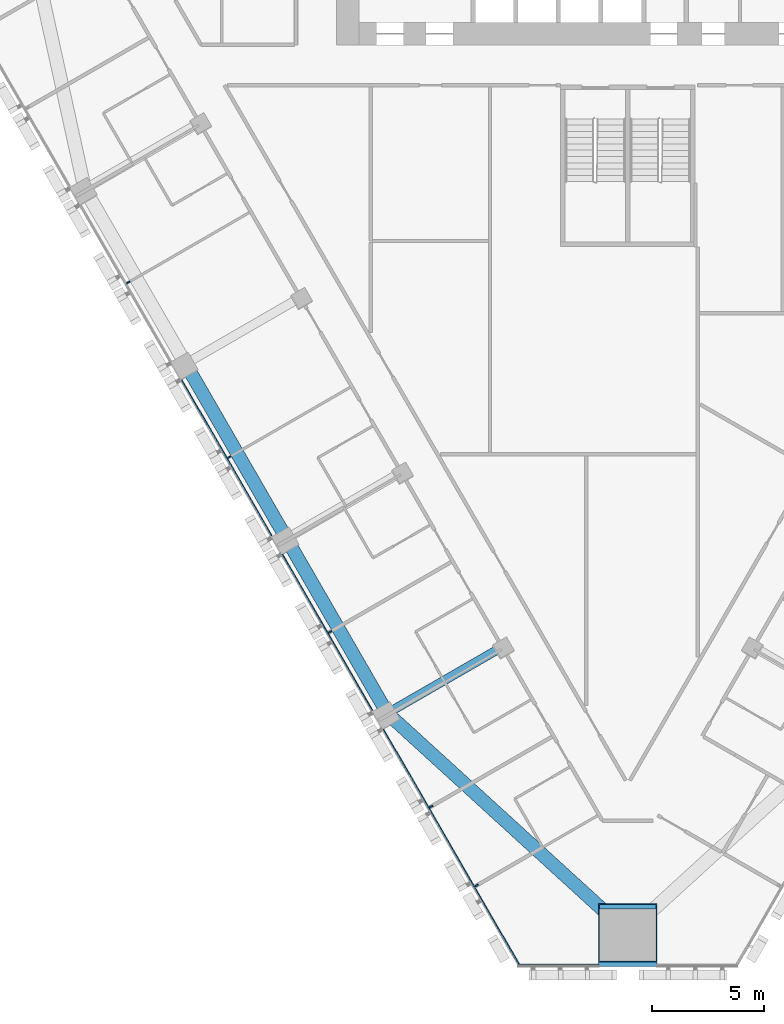
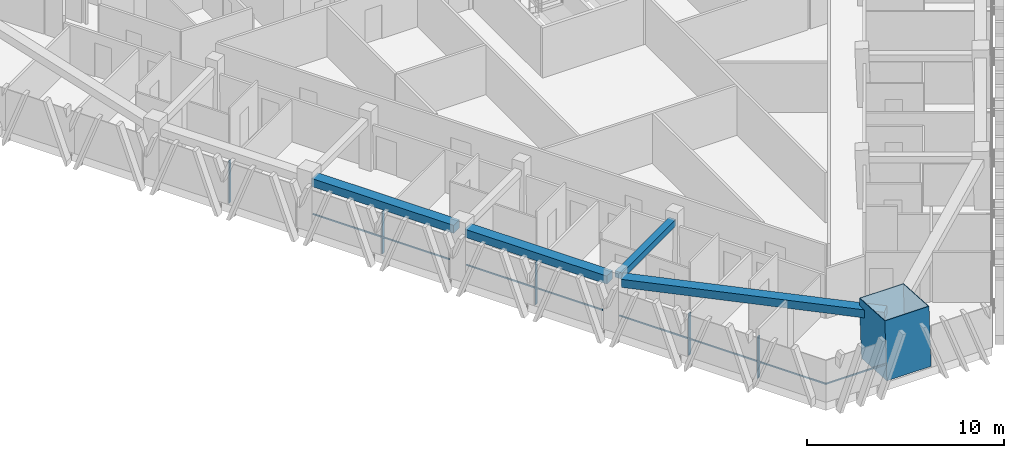
# One storey, part 2 of 18: 10 members, 4 beams, 2 elements without a shape of their own.
"""IFC4 building model written with IfcOpenShell, lengths in metres."""

from ifc_helpers import new_model, si_unit, direction, frame, origin, origin_2d, place, context, subcontext, project, spatial, rectangle, hollow_rectangle, extrude, material, layer, layer_set, material_profile, profile_set, type_object, element, aggregate, save


model = new_model("IFC4")

# Units and contexts
model_context = context("Model", 3, precision=1e-05, world=origin(), true_north=direction((0.0, 1.0)))
body_context = subcontext(model_context, "Body", "Model", "MODEL_VIEW")
ifc_project = project(units=[si_unit("LENGTHUNIT", "METRE"), si_unit("AREAUNIT", "SQUARE_METRE"), si_unit("VOLUMEUNIT", "CUBIC_METRE"), si_unit("PLANEANGLEUNIT", "RADIAN"), si_unit("MASSUNIT", "GRAM", prefix="KILO")], contexts=[model_context])

# Site, building, storey
site_placement = place(None, origin())
site = spatial("IfcSite", under=ifc_project, at=site_placement, CompositionType="ELEMENT")
building_placement = place(site_placement, origin())
building = spatial("IfcBuilding", under=site, at=building_placement, Name="Altiplano Prism Tower", CompositionType="ELEMENT")
storey_placement = place(building_placement, frame((0.0, 0.0, 37.800048828125)))
storey = spatial("IfcBuildingStorey", under=building, at=storey_placement, Name="L08", CompositionType="ELEMENT", Elevation=37.800048828125)

# Curtain wall, members
ifc_material_1 = material(Name="Aluminium and glass", Category="aluminium")
ifc_layer = layer(ifc_material_1, 0.280029296875)
ifc_layer_set = layer_set([ifc_layer], Name="Aluminium and glass")
curtain_wall_type = type_object("IfcCurtainWallType", Name="CW1 typical co-living unitised curtain wall", PredefinedType="NOTDEFINED", material=ifc_layer_set)
curtain_wall_1_placement = place(storey_placement, origin())
curtain_wall_1 = element("IfcCurtainWall", 1, at=curtain_wall_1_placement, inside=storey, type_object=curtain_wall_type, Name="CW1 curtain wall south-west face L08", PredefinedType="NOTDEFINED")
ifc_material_2 = material(Name="Aluminium", Category="aluminium")
ifc_material_profile_1 = material_profile(ifc_material_2, rectangle(XDim=0.179931640625, YDim=0.06494140625, at=origin_2d()), Name="CW1 mullion 65 x 180")
ifc_profile_set_1 = profile_set([ifc_material_profile_1], Name="Aluminium")
member_type_1 = type_object("IfcMemberType", Name="CW1 mullion 65 x 180", PredefinedType="MULLION", material=ifc_profile_set_1)
member_1_placement = place(storey_placement, frame((62.718017578125, 81.804931640625, 0.0), z_axis=(0.0, 0.0, 1.0), x_axis=(0.8660254093, 0.499999990447, 0.0)))
member_1 = element("IfcMember", 2, at=member_1_placement, type_object=member_type_1, Name="CW1 mullion", PredefinedType="MULLION", context=body_context, shape_type="SweptSolid", body=[
    extrude(rectangle(XDim=0.179931640625, YDim=0.06494140625, at=origin_2d()), origin(), (0.0, 0.0, 1.0), 2.599853515625),
])
member_2_placement = place(storey_placement, frame((67.218017578125, 74.0107421875, 0.0), z_axis=(0.0, 0.0, 1.0), x_axis=(0.8660254093, 0.499999990447, 0.0)))
member_2 = element("IfcMember", 3, at=member_2_placement, type_object=member_type_1, Name="CW1 mullion", PredefinedType="MULLION", context=body_context, shape_type="SweptSolid", body=[
    extrude(rectangle(XDim=0.179931640625, YDim=0.06494140625, at=origin_2d()), origin(), (0.0, 0.0, 1.0), 2.599853515625),
])
member_3_placement = place(storey_placement, frame((71.718017578125, 66.21630859375, 0.0), z_axis=(0.0, 0.0, 1.0), x_axis=(0.8660254093, 0.499999990447, 0.0)))
member_3 = element("IfcMember", 4, at=member_3_placement, type_object=member_type_1, Name="CW1 mullion", PredefinedType="MULLION", context=body_context, shape_type="SweptSolid", body=[
    extrude(rectangle(XDim=0.179931640625, YDim=0.06494140625, at=origin_2d()), origin(), (0.0, 0.0, 1.0), 2.599853515625),
])
member_4_placement = place(storey_placement, frame((76.218017578125, 58.422119140625, 0.0), z_axis=(0.0, 0.0, 1.0), x_axis=(0.8660254093, 0.499999990447, 0.0)))
member_4 = element("IfcMember", 5, at=member_4_placement, type_object=member_type_1, Name="CW1 mullion", PredefinedType="MULLION", context=body_context, shape_type="SweptSolid", body=[
    extrude(rectangle(XDim=0.179931640625, YDim=0.06494140625, at=origin_2d()), origin(), (0.0, 0.0, 1.0), 2.599853515625),
])
member_5_placement = place(storey_placement, frame((78.2490234375, 54.904296875, 0.0), z_axis=(0.0, 0.0, 1.0), x_axis=(0.8660254093, 0.499999990447, 0.0)))
member_5 = element("IfcMember", 6, at=member_5_placement, type_object=member_type_1, Name="CW1 mullion", PredefinedType="MULLION", context=body_context, shape_type="SweptSolid", body=[
    extrude(rectangle(XDim=0.179931640625, YDim=0.06494140625, at=origin_2d()), origin(), (0.0, 0.0, 1.0), 2.599853515625),
])
ifc_material_profile_2 = material_profile(ifc_material_2, rectangle(XDim=0.06005859375, YDim=0.080078125, at=origin_2d()), Name="CW1 transom 80 x 60")
ifc_profile_set_2 = profile_set([ifc_material_profile_2], Name="Aluminium")
member_type_2 = type_object("IfcMemberType", Name="CW1 transom 80 x 60", PredefinedType="USERDEFINED", material=ifc_profile_set_2)
member_6_placement = place(storey_placement, frame((65.08935546875, 77.45751953125, 1.099853515625), z_axis=(0.499999136801, -0.866025902152, 0.0), x_axis=(0.866025902152, 0.499999136801, 0.0)))
member_6 = element("IfcMember", 7, at=member_6_placement, type_object=member_type_2, Name="CW1 transom", ObjectType="TRANSOM", PredefinedType="USERDEFINED", context=body_context, shape_type="SweptSolid", body=[
    extrude(rectangle(XDim=0.06005859375, YDim=0.080078125, at=origin_2d()), origin(), (0.0, 0.0, 1.0), 8.02001953125),
])
member_7_placement = place(storey_placement, frame((69.58935546875, 69.663330078125, 1.099853515625), z_axis=(0.499999136801, -0.866025902152, 0.0), x_axis=(0.866025902152, 0.499999136801, 0.0)))
member_7 = element("IfcMember", 8, at=member_7_placement, type_object=member_type_2, Name="CW1 transom", ObjectType="TRANSOM", PredefinedType="USERDEFINED", context=body_context, shape_type="SweptSolid", body=[
    extrude(rectangle(XDim=0.06005859375, YDim=0.080078125, at=origin_2d()), origin(), (0.0, 0.0, 1.0), 8.02001953125),
])
member_8_placement = place(storey_placement, frame((74.08935546875, 61.868896484375, 1.099853515625), z_axis=(0.500006588649, -0.866021599793, 0.0), x_axis=(0.866021599793, 0.500006588649, 0.0)))
member_8 = element("IfcMember", 9, at=member_8_placement, type_object=member_type_2, Name="CW1 transom", ObjectType="TRANSOM", PredefinedType="USERDEFINED", context=body_context, shape_type="SweptSolid", body=[
    extrude(rectangle(XDim=0.06005859375, YDim=0.080078125, at=origin_2d()), origin(), (0.0, 0.0, 1.0), 12.173095703125),
])
aggregate(curtain_wall_1, [member_1, member_2, member_6, member_3, member_7, member_4, member_5, member_8])

# Curtain wall, member
curtain_wall_2_placement = place(storey_placement, origin())
curtain_wall_2 = element("IfcCurtainWall", 10, at=curtain_wall_2_placement, inside=storey, type_object=curtain_wall_type, Name="CW1 curtain wall south chamfer L08", PredefinedType="NOTDEFINED")
member_9_placement = place(storey_placement, frame((80.115478515625, 51.361572265625, 1.099853515625), z_axis=(1.0, 0.0, 0.0), x_axis=(0.0, 1.0, 0.0)))
member_9 = element("IfcMember", 11, at=member_9_placement, type_object=member_type_2, Name="CW1 transom", ObjectType="TRANSOM", PredefinedType="USERDEFINED", context=body_context, shape_type="SweptSolid", body=[
    extrude(rectangle(XDim=0.06005859375, YDim=0.080078125, at=origin_2d()), origin(), (0.0, 0.0, 1.0), 3.58447265625),
])
aggregate(curtain_wall_2, [member_9])

# Beams
ifc_material_3 = material(Name="Concrete C60/75", Category="concrete")
ifc_material_profile_3 = material_profile(ifc_material_3, rectangle(XDim=0.60009765625, YDim=0.5, at=origin_2d()), Name="Edge beam 600x500")
ifc_profile_set_3 = profile_set([ifc_material_profile_3], Name="Concrete C60/75")
beam_type_1 = type_object("IfcBeamType", Name="Edge beam 600x500", PredefinedType="SPANDREL", material=ifc_profile_set_3)
for number, where, z_axis, x_axis, name in (
    (12, (65.438232421875, 77.890625, 2.849853515625), (0.499992746786, -0.866029591389, 0.0), (0.866029591389, 0.499992746786, 0.0), "Edge beam P12-P13 L09"),
    (13, (69.938232421875, 70.09619140625, 2.849853515625), (0.499992746786, -0.866029591389, 0.0), (0.866029591389, 0.499992746786, 0.0), "Edge beam P13-P14 L09"),
):
    element("IfcBeam", number, at=place(storey_placement, frame(where, z_axis=z_axis, x_axis=x_axis)), inside=storey, type_object=beam_type_1, Name=name, PredefinedType="SPANDREL", context=body_context, shape_type="SweptSolid", body=[
        extrude(rectangle(XDim=0.60009765625, YDim=0.5, at=origin_2d()), origin(), (0.0, 0.0, 1.0), 8.33984375),
    ])
beam_1_placement = place(storey_placement, frame((74.533203125, 62.3505859375, 2.849853515625), z_axis=(0.738764003792, -0.673964202833, 0.0), x_axis=(0.673964202833, 0.738764003792, 0.0)))
element("IfcBeam", 14, at=beam_1_placement, inside=storey, type_object=beam_type_1, Name="Edge beam P14-M1 L09", PredefinedType="SPANDREL", context=body_context, shape_type="SweptSolid", body=[
    extrude(rectangle(XDim=0.60009765625, YDim=0.5, at=origin_2d()), origin(), (0.0, 0.0, 1.0), 13.7177734375),
])

# Member
ifc_material_4 = material(Name="Steel S460", Category="steel")
ifc_material_profile_4 = material_profile(ifc_material_4, hollow_rectangle(XDim=2.60009765625, YDim=2.60009765625, WallThickness=0.0400390625, at=origin_2d()), Name="Mega column tube 2600")
ifc_profile_set_4 = profile_set([ifc_material_profile_4], Name="Steel S460")
member_type_3 = type_object("IfcMemberType", Name="Mega column tube 2600", PredefinedType="POST", material=ifc_profile_set_4)
member_10_placement = place(storey_placement, frame((85.0, 52.591552734375, 0.0), z_axis=(0.0, 0.058360852261, 0.998295552892), x_axis=(-1.0, 0.0, 0.0)))
element("IfcMember", 15, at=member_10_placement, inside=storey, type_object=member_type_3, Name="Mega column tube M1 L08", PredefinedType="POST", context=body_context, shape_type="SweptSolid", body=[
    extrude(hollow_rectangle(XDim=2.60009765625, YDim=2.60009765625, WallThickness=0.0400390625, at=origin_2d()), origin(), (0.0, 0.0, 1.0), 3.60595703125),
])

# Beam
ifc_material_profile_5 = material_profile(ifc_material_3, rectangle(XDim=0.39990234375, YDim=0.39990234375, at=origin_2d()), Name="Tie beam 400x400")
ifc_profile_set_5 = profile_set([ifc_material_profile_5], Name="Concrete C60/75")
beam_type_2 = type_object("IfcBeamType", Name="Tie beam 400x400", PredefinedType="BEAM", material=ifc_profile_set_5)
beam_2_placement = place(storey_placement, frame((79.3134765625, 65.497802734375, 2.89990234375), z_axis=(-0.866042665983, -0.499970099802, 0.0), x_axis=(0.499970099802, -0.866042665983, 0.0)))
element("IfcBeam", 16, at=beam_2_placement, inside=storey, type_object=beam_type_2, Name="Tie beam I14 L09", PredefinedType="BEAM", context=body_context, shape_type="SweptSolid", body=[
    extrude(rectangle(XDim=0.39990234375, YDim=0.39990234375, at=origin_2d()), origin(), (0.0, 0.0, 1.0), 5.489990234375),
])

save(model, "model.ifc")
